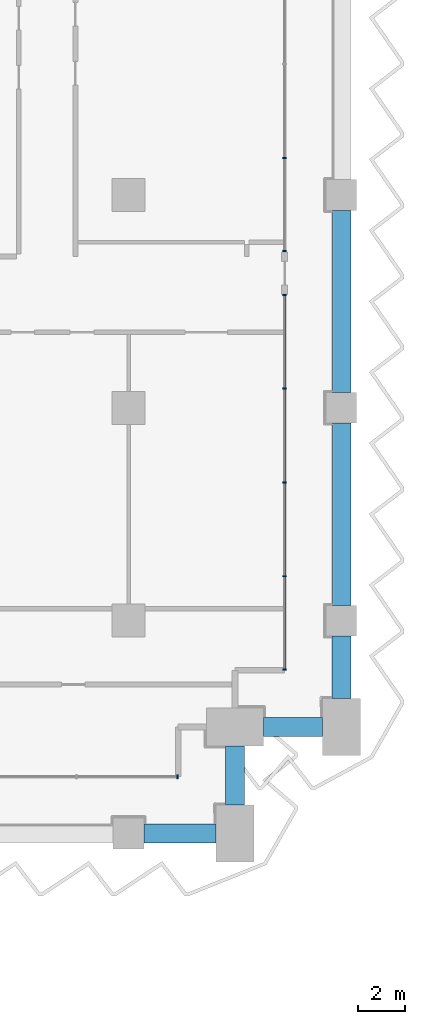
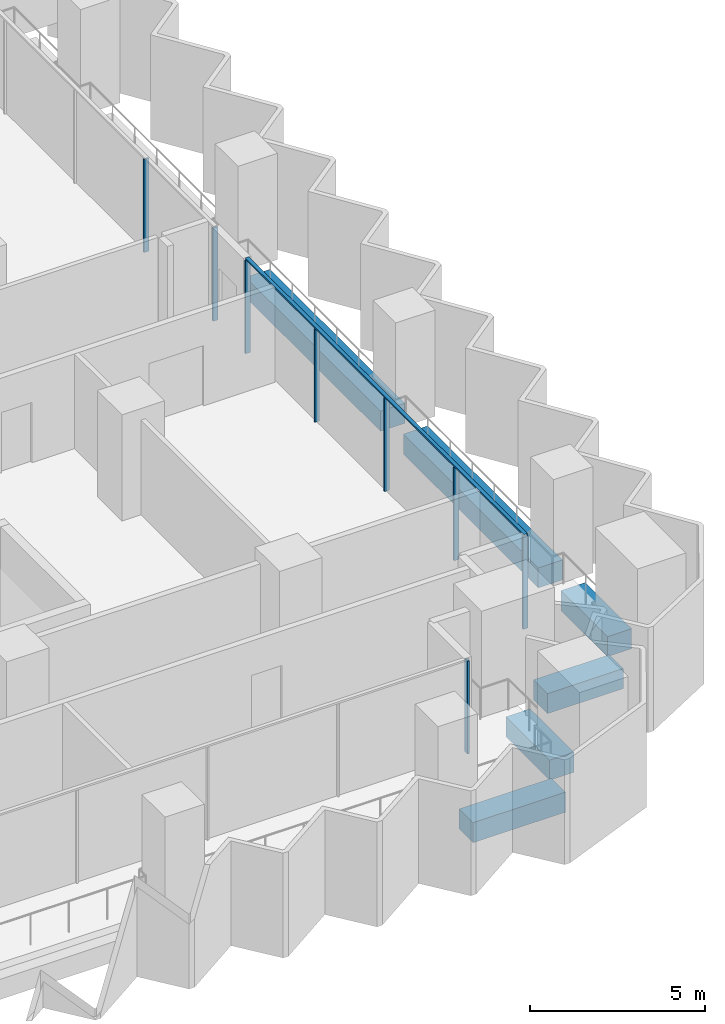
# One storey, part 6 of 29: 9 members, 6 beams, 3 elements without a shape of their own.
"""IFC4 building model written with IfcOpenShell, lengths in metres."""

import ifcopenshell
import ifcopenshell.guid

model = None  # the IFC model being written
_history = None  # IfcOwnerHistory: only IFC2X3 demands one
_inside = {}  # id of a spatial element -> (the spatial element, [elements in it])
_under = {}  # id of a project, library or spatial element -> (it, [spatial elements below it])
_declared = {}  # id of a project -> (the project, [libraries it declares])
_typed = {}  # id of a type object -> (the type object, [elements of that type])
_made_of = {}  # id of a material, layer set ... -> (it, [elements and type objects made of it])


def new_model(schema):
    """Start an empty IFC model of exactly this schema.

    Asked for "IFC4X3", IfcOpenShell would pick the latest addendum, in which some entities
    have other attributes; the version numbers below select the first issue.
    IFC2X3 requires an IfcOwnerHistory on every rooted entity: one is made here for all.
    """
    global model, _history
    if schema == "IFC4X3":
        model = ifcopenshell.file(schema_version=(4, 3, 0, 0))
    else:
        model = ifcopenshell.file(schema=schema)
    _inside.clear()
    _under.clear()
    _declared.clear()
    _typed.clear()
    _made_of.clear()
    _history = None
    if model.schema == "IFC2X3":
        org = make("IfcOrganization", Name="unknown")
        user = make(
            "IfcPersonAndOrganization",
            ThePerson=make("IfcPerson", FamilyName="unknown"),
            TheOrganization=org,
        )
        app = make(
            "IfcApplication",
            ApplicationDeveloper=org,
            Version="unknown",
            ApplicationFullName="unknown",
            ApplicationIdentifier="unknown",
        )
        _history = make(
            "IfcOwnerHistory",
            OwningUser=user,
            OwningApplication=app,
            ChangeAction="ADDED",
            CreationDate=0,
        )
    return model


def make(cls, **values):
    """One entity of the class cls with the attributes given. An attribute that is None is left unset."""
    return model.create_entity(
        cls, **{name: value for name, value in values.items() if value is not None}
    )


def rooted(cls, **values):
    """An entity with a GlobalId (a new one), such as an element, a storey or a relation."""
    return make(cls, GlobalId=ifcopenshell.guid.new(), OwnerHistory=_history, **values)


def si_unit(unit_type, name, prefix=None):
    """IfcSIUnit, for example si_unit("LENGTHUNIT", "METRE", prefix="MILLI")."""
    return make("IfcSIUnit", UnitType=unit_type, Prefix=prefix, Name=name)


def assignment(units):
    """IfcUnitAssignment: the units of a project."""
    return None if units is None else make("IfcUnitAssignment", Units=units)


def point(xyz):
    """IfcCartesianPoint."""
    return None if xyz is None else make("IfcCartesianPoint", Coordinates=xyz)


def direction(xyz):
    """IfcDirection."""
    return None if xyz is None else make("IfcDirection", DirectionRatios=xyz)


def frame(location, z_axis=None, x_axis=None):
    """IfcAxis2Placement3D, a coordinate frame: its origin and axes. An axis left out is left unset."""
    return make(
        "IfcAxis2Placement3D",
        Location=point(location),
        Axis=direction(z_axis),
        RefDirection=direction(x_axis),
    )


def frame_2d(location, x_axis=None):
    """IfcAxis2Placement2D, a coordinate frame in the plane: its origin and x axis."""
    return make(
        "IfcAxis2Placement2D", Location=point(location), RefDirection=direction(x_axis)
    )


def origin():
    """The frame at (0, 0, 0) with its axes left unset."""
    return frame((0.0, 0.0, 0.0))


def origin_2d():
    """The frame at (0, 0) in the plane with its x axis left unset."""
    return frame_2d((0.0, 0.0))


def place(relative_to, where):
    """IfcLocalPlacement: puts the frame where relative to a parent placement (None: the world)."""
    return make(
        "IfcLocalPlacement", PlacementRelTo=relative_to, RelativePlacement=where
    )


def context(
    kind, dimensions, precision=None, world=None, true_north=None, identifier=None
):
    """IfcGeometricRepresentationContext, for example the 3D "Model" context."""
    return make(
        "IfcGeometricRepresentationContext",
        ContextIdentifier=identifier,
        ContextType=kind,
        CoordinateSpaceDimension=dimensions,
        Precision=precision,
        WorldCoordinateSystem=world,
        TrueNorth=true_north,
    )


def subcontext(parent, identifier, kind, view, scale=None):
    """IfcGeometricRepresentationSubContext, for example "Body" below "Model"."""
    return make(
        "IfcGeometricRepresentationSubContext",
        ContextIdentifier=identifier,
        ContextType=kind,
        ParentContext=parent,
        TargetScale=scale,
        TargetView=view,
    )


def project(units=None, contexts=None):
    """IfcProject with its units and contexts."""
    return rooted(
        "IfcProject",
        Name="project",
        RepresentationContexts=contexts,
        UnitsInContext=assignment(units),
    )


def spatial(cls, under=None, at=None, **own):
    """A site, building, storey or space (cls), placed at a placement, below another one or the project."""
    s = rooted(cls, ObjectPlacement=at, **own)
    if under is not None:
        _under.setdefault(under.id(), (under, []))[1].append(s)
    return s


def profile(cls, at=None, kind="AREA", **sizes):
    """A parametric profile (cls). Its sizes go by their IFC names, for example OverallWidth=200.0."""
    return make(cls, ProfileType=kind, Position=at, **sizes)


def rectangle(**sizes):
    """IfcRectangleProfileDef."""
    return profile("IfcRectangleProfileDef", **sizes)


def extrude(swept, where, along, depth):
    """IfcExtrudedAreaSolid: the profile swept, set in the frame where, extruded along a direction by depth."""
    return make(
        "IfcExtrudedAreaSolid",
        SweptArea=swept,
        Position=where,
        ExtrudedDirection=direction(along),
        Depth=depth,
    )


def shape(context_of_items, identifier, shape_type, items):
    """IfcShapeRepresentation: the items that make up one representation, for example the "Body"."""
    return make(
        "IfcShapeRepresentation",
        ContextOfItems=context_of_items,
        RepresentationIdentifier=identifier,
        RepresentationType=shape_type,
        Items=items,
    )


def material(Name=None, Category=None):
    """IfcMaterial."""
    return make("IfcMaterial", Name=Name, Category=Category)


def material_profile(
    of_material, cross_section, Name=None, Category=None, Priority=None
):
    """IfcMaterialProfile: a cross section and its material."""
    return make(
        "IfcMaterialProfile",
        Name=Name,
        Material=of_material,
        Profile=cross_section,
        Priority=Priority,
        Category=Category,
    )


def profile_set(profiles, Name=None, composite=None):
    """IfcMaterialProfileSet."""
    return make(
        "IfcMaterialProfileSet",
        Name=Name,
        MaterialProfiles=profiles,
        CompositeProfile=composite,
    )


def made_of(thing, what):
    """Note that an element or type object is made of a material, layer set ...; save() writes the relation."""
    if what is not None:
        _made_of.setdefault(what.id(), (what, []))[1].append(thing)
    return thing


def type_object(cls, material=None, **own):
    """A type object (cls), such as IfcWallType, which elements share."""
    return made_of(rooted(cls, **own), material)


def element(
    cls,
    number,
    at=None,
    inside=None,
    cuts=None,
    type_object=None,
    material=None,
    context=None,
    identifier="Body",
    shape_type=None,
    held_by="IfcProductDefinitionShape",
    body=None,
    shapes=None,
    **own,
):
    """One element of the class cls, such as IfcWall. Its Tag is "e" and its number.

    at: its placement. inside: the storey or other place that contains it. cuts: it is an
    opening in that element (IfcRelVoidsElement). A single representation is given by context,
    identifier, shape_type and body (its items); several are given by shapes. held_by: the class
    of the entity that holds the representations. save() writes the other relations.
    """
    e = rooted(cls, Tag="e%d" % number, ObjectPlacement=at, **own)
    if body is not None:
        shapes = [shape(context, identifier, shape_type, body)]
    if shapes is not None:
        e.Representation = make(held_by, Representations=shapes)
    if inside is not None:
        _inside.setdefault(inside.id(), (inside, []))[1].append(e)
    if cuts is not None:
        rooted(
            "IfcRelVoidsElement", RelatingBuildingElement=cuts, RelatedOpeningElement=e
        )
    if type_object is not None:
        _typed.setdefault(type_object.id(), (type_object, []))[1].append(e)
    return made_of(e, material)


def aggregate(whole, parts):
    """IfcRelAggregates: a whole, such as a stair, and the parts it consists of."""
    return rooted("IfcRelAggregates", RelatingObject=whole, RelatedObjects=parts)


def save(model, path):
    """Write the relations noted so far, then the file.

    IfcRelAggregates (storeys below a building ...), IfcRelContainedInSpatialStructure (elements
    in a storey), IfcRelDefinesByType, IfcRelAssociatesMaterial and IfcRelDeclares: one each for
    every whole, place, type object, material and project.
    """
    for whole, parts in _under.values():
        aggregate(whole, parts)
    for where, things in _inside.values():
        rooted(
            "IfcRelContainedInSpatialStructure",
            RelatedElements=things,
            RelatingStructure=where,
        )
    for kind, things in _typed.values():
        rooted("IfcRelDefinesByType", RelatedObjects=things, RelatingType=kind)
    for what, things in _made_of.values():
        rooted("IfcRelAssociatesMaterial", RelatedObjects=things, RelatingMaterial=what)
    for by, libraries in _declared.values():
        rooted("IfcRelDeclares", RelatingContext=by, RelatedDefinitions=libraries)
    model.write(path)


model = new_model("IFC4")

# Units and contexts
model_context = context("Model", 3, precision=1e-05, world=origin(), true_north=direction((0.0, 1.0)))
body_context = subcontext(model_context, "Body", "Model", "MODEL_VIEW")
ifc_project = project(units=[si_unit("LENGTHUNIT", "METRE"), si_unit("AREAUNIT", "SQUARE_METRE"), si_unit("VOLUMEUNIT", "CUBIC_METRE"), si_unit("PLANEANGLEUNIT", "RADIAN"), si_unit("MASSUNIT", "GRAM", prefix="KILO")], contexts=[model_context])

# Site, building, storey
site_placement = place(None, origin())
site = spatial("IfcSite", under=ifc_project, at=site_placement, CompositionType="ELEMENT")
building_placement = place(site_placement, origin())
building = spatial("IfcBuilding", under=site, at=building_placement, Name="Hunhe Ridgeline Campus", CompositionType="ELEMENT")
storey_placement = place(building_placement, frame((0.0, 0.0, 65.39990234375)))
storey = spatial("IfcBuildingStorey", under=building, at=storey_placement, Name="L15", CompositionType="ELEMENT", Elevation=65.39990234375)

# Curtain wall, member
ifc_material_1 = material(Name="Aluminium 6063", Category="aluminium")
curtain_wall_type = type_object("IfcCurtainWallType", Name="Curtain wall CW-1", PredefinedType="NOTDEFINED", material=ifc_material_1)
curtain_wall_1_placement = place(storey_placement, origin())
curtain_wall_1 = element("IfcCurtainWall", 1, at=curtain_wall_1_placement, inside=storey, type_object=curtain_wall_type, Name="Curtain wall 13", PredefinedType="NOTDEFINED")
ifc_material_profile_1 = material_profile(ifc_material_1, rectangle(XDim=0.159912109375, YDim=0.06005859375, at=origin_2d()))
ifc_profile_set_1 = profile_set([ifc_material_profile_1], Name="Aluminium 6063")
member_type_1 = type_object("IfcMemberType", Name="CW-1 aluminium mullion", PredefinedType="MULLION", material=ifc_profile_set_1)
member_1_placement = place(storey_placement, frame((92.069091796875, 56.40087890625, 0.0), z_axis=(0.0, 0.0, 1.0), x_axis=(-3.602063e-06, 0.999999999994, 0.0)))
member_1 = element("IfcMember", 2, at=member_1_placement, type_object=member_type_1, Name="CW-1 mullion 9", PredefinedType="MULLION", context=body_context, shape_type="SweptSolid", body=[
    extrude(rectangle(XDim=0.159912109375, YDim=0.06005859375, at=origin_2d()), origin(), (0.0, 0.0, 1.0), 3.239990234375),
])
aggregate(curtain_wall_1, [member_1])

# Curtain wall, members
curtain_wall_2_placement = place(storey_placement, origin())
curtain_wall_2 = element("IfcCurtainWall", 3, at=curtain_wall_2_placement, inside=storey, type_object=curtain_wall_type, Name="Curtain wall 14", PredefinedType="NOTDEFINED")
member_2_placement = place(storey_placement, frame((96.59912109375, 60.930908203125, 0.0), z_axis=(0.0, 0.0, 1.0), x_axis=(-1.0, 0.0, 0.0)))
member_2 = element("IfcMember", 4, at=member_2_placement, type_object=member_type_1, Name="CW-1 mullion 1", PredefinedType="MULLION", context=body_context, shape_type="SweptSolid", body=[
    extrude(rectangle(XDim=0.159912109375, YDim=0.06005859375, at=origin_2d()), origin(), (0.0, 0.0, 1.0), 3.239990234375),
])
member_3_placement = place(storey_placement, frame((96.59912109375, 64.8759765625, 0.0), z_axis=(0.0, 0.0, 1.0), x_axis=(-1.0, 0.0, 0.0)))
member_3 = element("IfcMember", 5, at=member_3_placement, type_object=member_type_1, Name="CW-1 mullion 2", PredefinedType="MULLION", context=body_context, shape_type="SweptSolid", body=[
    extrude(rectangle(XDim=0.159912109375, YDim=0.06005859375, at=origin_2d()), origin(), (0.0, 0.0, 1.0), 3.239990234375),
])
member_4_placement = place(storey_placement, frame((96.59912109375, 68.850830078125, 0.0), z_axis=(0.0, 0.0, 1.0), x_axis=(-1.0, 0.0, 0.0)))
member_4 = element("IfcMember", 6, at=member_4_placement, type_object=member_type_1, Name="CW-1 mullion 3", PredefinedType="MULLION", context=body_context, shape_type="SweptSolid", body=[
    extrude(rectangle(XDim=0.159912109375, YDim=0.06005859375, at=origin_2d()), origin(), (0.0, 0.0, 1.0), 3.239990234375),
])
member_5_placement = place(storey_placement, frame((96.59912109375, 72.82568359375, 0.0), z_axis=(0.0, 0.0, 1.0), x_axis=(-1.0, 0.0, 0.0)))
member_5 = element("IfcMember", 7, at=member_5_placement, type_object=member_type_1, Name="CW-1 mullion 4", PredefinedType="MULLION", context=body_context, shape_type="SweptSolid", body=[
    extrude(rectangle(XDim=0.159912109375, YDim=0.06005859375, at=origin_2d()), origin(), (0.0, 0.0, 1.0), 3.239990234375),
])
member_6_placement = place(storey_placement, frame((96.59912109375, 76.7705078125, 0.0), z_axis=(0.0, 0.0, 1.0), x_axis=(-1.0, 0.0, 0.0)))
member_6 = element("IfcMember", 8, at=member_6_placement, type_object=member_type_1, Name="CW-1 mullion 5", PredefinedType="MULLION", context=body_context, shape_type="SweptSolid", body=[
    extrude(rectangle(XDim=0.159912109375, YDim=0.06005859375, at=origin_2d()), origin(), (0.0, 0.0, 1.0), 3.239990234375),
])

curtain_wall_3_placement = place(storey_placement, origin())
curtain_wall_3 = element("IfcCurtainWall", 9, at=curtain_wall_3_placement, inside=storey, type_object=curtain_wall_type, Name="Curtain wall 15", PredefinedType="NOTDEFINED")
member_7_placement = place(storey_placement, frame((96.59912109375, 78.630615234375, 0.0), z_axis=(0.0, 0.0, 1.0), x_axis=(-1.0, 0.0, 0.0)))
member_7 = element("IfcMember", 10, at=member_7_placement, type_object=member_type_1, Name="CW-1 mullion 1", PredefinedType="MULLION", context=body_context, shape_type="SweptSolid", body=[
    extrude(rectangle(XDim=0.159912109375, YDim=0.06005859375, at=origin_2d()), origin(), (0.0, 0.0, 1.0), 3.239990234375),
])
member_8_placement = place(storey_placement, frame((96.59912109375, 82.575439453125, 0.0), z_axis=(0.0, 0.0, 1.0), x_axis=(-1.0, 0.0, 0.0)))
member_8 = element("IfcMember", 11, at=member_8_placement, type_object=member_type_1, Name="CW-1 mullion 2", PredefinedType="MULLION", context=body_context, shape_type="SweptSolid", body=[
    extrude(rectangle(XDim=0.159912109375, YDim=0.06005859375, at=origin_2d()), origin(), (0.0, 0.0, 1.0), 3.239990234375),
])
aggregate(curtain_wall_3, [member_7, member_8])

# Member
ifc_material_profile_2 = material_profile(ifc_material_1, rectangle(XDim=0.1201171875, YDim=0.06005859375, at=origin_2d()))
ifc_profile_set_2 = profile_set([ifc_material_profile_2], Name="Aluminium 6063")
member_type_2 = type_object("IfcMemberType", Name="CW-1 aluminium transom", PredefinedType="USERDEFINED", material=ifc_profile_set_2)
member_9_placement = place(storey_placement, frame((96.59912109375, 60.90087890625, 3.27001953125), z_axis=(0.0, 1.0, 0.0), x_axis=(-1.0, 0.0, 0.0)))
member_9 = element("IfcMember", 12, at=member_9_placement, type_object=member_type_2, Name="CW-1 transom 1", ObjectType="TRANSOM", PredefinedType="USERDEFINED", context=body_context, shape_type="SweptSolid", body=[
    extrude(rectangle(XDim=0.1201171875, YDim=0.06005859375, at=origin_2d()), origin(), (0.0, 0.0, 1.0), 15.899658203125),
])

aggregate(curtain_wall_2, [member_9, member_2, member_3, member_4, member_5, member_6])

# Beams
ifc_material_2 = material(Name="Concrete C60", Category="concrete")
ifc_material_profile_3 = material_profile(ifc_material_2, rectangle(XDim=0.800048828125, YDim=0.699951171875, at=origin_2d()))
ifc_profile_set_3 = profile_set([ifc_material_profile_3], Name="Concrete C60")
beam_type = type_object("IfcBeamType", Name="RC spandrel beam 800x700 Concrete C60", PredefinedType="SPANDREL", material=ifc_profile_set_3)
beam_1_placement = place(storey_placement, frame((90.64990234375, 54.0, -0.599853515625), z_axis=(1.0, 0.0, 0.0), x_axis=(0.0, 1.0, 0.0)))
element("IfcBeam", 13, at=beam_1_placement, inside=storey, type_object=beam_type, Name="Spandrel beam B1-17 L15", PredefinedType="SPANDREL", context=body_context, shape_type="SweptSolid", body=[
    extrude(rectangle(XDim=0.800048828125, YDim=0.699951171875, at=origin_2d()), origin(), (0.0, 0.0, 1.0), 3.050048828125),
])
for number, where, z_axis, x_axis, name in (
    (14, (94.5, 55.199951171875, -0.599853515625), (0.0, 1.0, 0.0), (-1.0, 0.0, 0.0), "Spandrel beam B1-18 L15"),
    (15, (95.699951171875, 58.5, -0.599853515625), (1.0, 0.0, 0.0), (0.0, 1.0, 0.0), "Spandrel beam B1-19 L15"),
):
    element("IfcBeam", number, at=place(storey_placement, frame(where, z_axis=z_axis, x_axis=x_axis)), inside=storey, type_object=beam_type, Name=name, PredefinedType="SPANDREL", context=body_context, shape_type="SweptSolid", body=[
        extrude(rectangle(XDim=0.800048828125, YDim=0.699951171875, at=origin_2d()), origin(), (0.0, 0.0, 1.0), 2.5),
    ])
beam_2_placement = place(storey_placement, frame((99.0, 59.699951171875, -0.599853515625), z_axis=(0.0, 1.0, 0.0), x_axis=(-1.0, 0.0, 0.0)))
element("IfcBeam", 16, at=beam_2_placement, inside=storey, type_object=beam_type, Name="Spandrel beam B1-20 L15", PredefinedType="SPANDREL", context=body_context, shape_type="SweptSolid", body=[
    extrude(rectangle(XDim=0.800048828125, YDim=0.699951171875, at=origin_2d()), origin(), (0.0, 0.0, 1.0), 2.650146484375),
])
for number, where, z_axis, x_axis, name in (
    (17, (99.0, 63.64990234375, -0.599853515625), (0.0, 1.0, 0.0), (-1.0, 0.0, 0.0), "Spandrel beam B1-21 L15"),
    (18, (99.0, 72.64990234375, -0.599853515625), (0.0, 1.0, 0.0), (-1.0, 0.0, 0.0), "Spandrel beam B1-22 L15"),
):
    element("IfcBeam", number, at=place(storey_placement, frame(where, z_axis=z_axis, x_axis=x_axis)), inside=storey, type_object=beam_type, Name=name, PredefinedType="SPANDREL", context=body_context, shape_type="SweptSolid", body=[
        extrude(rectangle(XDim=0.800048828125, YDim=0.699951171875, at=origin_2d()), origin(), (0.0, 0.0, 1.0), 7.7001953125),
    ])

save(model, "model.ifc")
